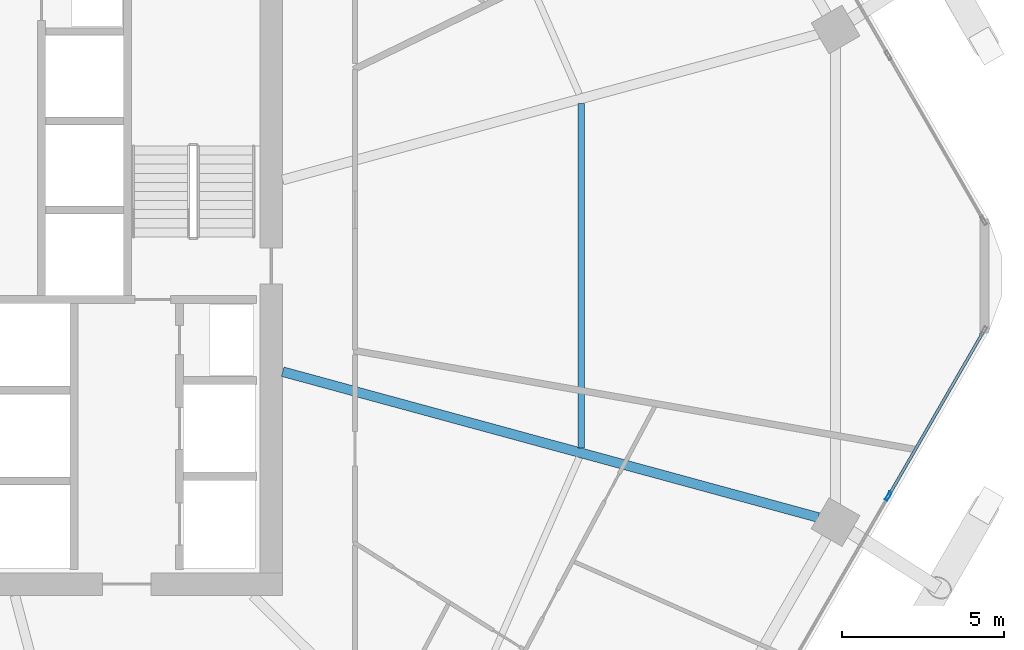
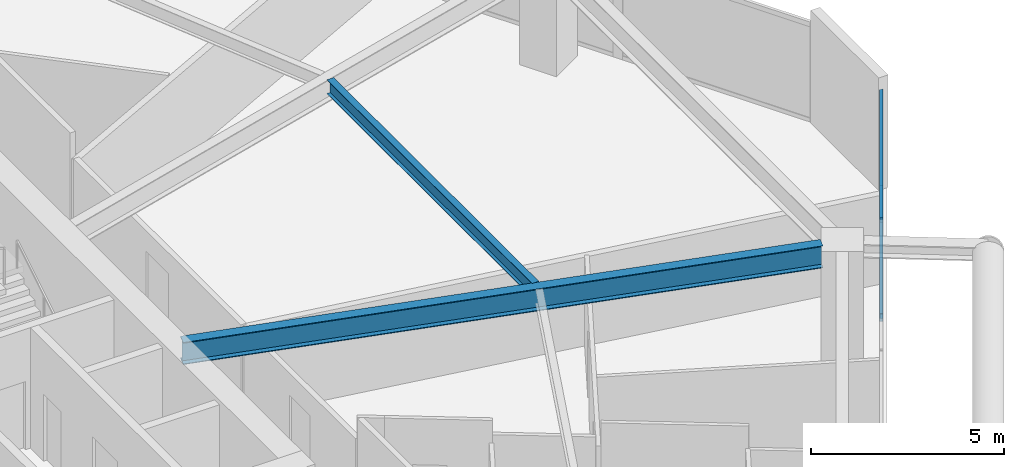
# One storey, part 13 of 35: 3 members, 2 beams, 1 element without a shape of its own.
"""IFC4 building model written with IfcOpenShell, lengths in metres."""

from ifc_helpers import new_model, si_unit, direction, frame, origin, origin_2d, place, context, subcontext, project, spatial, hollow_rectangle, i_section, extrude, material, material_profile, profile_set, type_object, element, aggregate, save


model = new_model("IFC4")

# Units and contexts
model_context = context("Model", 3, precision=1e-05, world=origin(), true_north=direction((0.0, 1.0)))
body_context = subcontext(model_context, "Body", "Model", "MODEL_VIEW")
ifc_project = project(units=[si_unit("LENGTHUNIT", "METRE"), si_unit("AREAUNIT", "SQUARE_METRE"), si_unit("VOLUMEUNIT", "CUBIC_METRE"), si_unit("PLANEANGLEUNIT", "RADIAN"), si_unit("MASSUNIT", "GRAM", prefix="KILO")], contexts=[model_context])

# Site, building, storey
site_placement = place(None, origin())
site = spatial("IfcSite", under=ifc_project, at=site_placement, CompositionType="ELEMENT")
building_placement = place(site_placement, origin())
building = spatial("IfcBuilding", under=site, at=building_placement, Name="Zuhravey Tower", CompositionType="ELEMENT")
storey_placement = place(building_placement, frame((0.0, 0.0, 138.0)))
storey = spatial("IfcBuildingStorey", under=building, at=storey_placement, Name="L34", CompositionType="ELEMENT", Elevation=138.0)

# Curtain wall, members
ifc_material_1 = material(Name="Thermally broken anodised aluminium", Category="aluminium")
curtain_wall_type = type_object("IfcCurtainWallType", Name="Zone 1-2 Residential Curtain Wall CW3", PredefinedType="NOTDEFINED", material=ifc_material_1)
curtain_wall_placement = place(storey_placement, origin())
curtain_wall = element("IfcCurtainWall", 1, at=curtain_wall_placement, inside=storey, type_object=curtain_wall_type, Name="L34 CW3 CW-L34-F6-1", PredefinedType="NOTDEFINED")
ifc_material_2 = material(Name="Anodised aluminium", Category="aluminium")
ifc_material_profile_1 = material_profile(ifc_material_2, hollow_rectangle(XDim=0.090087890625, YDim=0.284912109375, WallThickness=0.0048828125, at=origin_2d()), Name="ALU-RHS-90x285x5")
ifc_profile_set_1 = profile_set([ifc_material_profile_1], Name="Anodised aluminium")
member_type_1 = type_object("IfcMemberType", Name="Curtain-Wall Mullion 90x180", PredefinedType="MULLION", material=ifc_profile_set_1)
member_1_placement = place(storey_placement, frame((65.5185546875, 25.210693359375, 0.0), z_axis=(0.0, 0.0, 1.0), x_axis=(0.86602552265, -0.499999794119, 0.0)))
member_1 = element("IfcMember", 2, at=member_1_placement, type_object=member_type_1, Name="CW3 mullion 2", PredefinedType="MULLION", context=body_context, shape_type="SweptSolid", body=[
    extrude(hollow_rectangle(XDim=0.090087890625, YDim=0.284912109375, WallThickness=0.0048828125, at=origin_2d()), origin(), (0.0, 0.0, 1.0), 3.1220703125),
])
ifc_material_profile_2 = material_profile(ifc_material_2, hollow_rectangle(XDim=0.090087890625, YDim=0.14990234375, WallThickness=0.0048828125, at=origin_2d()), Name="ALU-RHS-90x150x5")
ifc_profile_set_2 = profile_set([ifc_material_profile_2], Name="Anodised aluminium")
member_type_2 = type_object("IfcMemberType", Name="Curtain-Wall Transom 90x150", PredefinedType="USERDEFINED", material=ifc_profile_set_2)
member_2_placement = place(storey_placement, frame((68.43359375, 30.259521484375, 0.044921875), z_axis=(-0.500024450573, -0.866011286779, 0.0), x_axis=(0.866011286779, -0.500024450573, 0.0)))
member_2 = element("IfcMember", 3, at=member_2_placement, type_object=member_type_2, Name="CW3 transom 1.1", ObjectType="TRANSOM", PredefinedType="USERDEFINED", context=body_context, shape_type="SweptSolid", body=[
    extrude(hollow_rectangle(XDim=0.090087890625, YDim=0.14990234375, WallThickness=0.0048828125, at=origin_2d()), origin(), (0.0, 0.0, 1.0), 5.784912109375),
])
member_3_placement = place(storey_placement, frame((68.43359375, 30.259521484375, 3.076904296875), z_axis=(-0.500024450573, -0.866011286779, 0.0), x_axis=(0.866011286779, -0.500024450573, 0.0)))
member_3 = element("IfcMember", 4, at=member_3_placement, type_object=member_type_2, Name="CW3 transom 1.2", ObjectType="TRANSOM", PredefinedType="USERDEFINED", context=body_context, shape_type="SweptSolid", body=[
    extrude(hollow_rectangle(XDim=0.090087890625, YDim=0.14990234375, WallThickness=0.0048828125, at=origin_2d()), origin(), (0.0, 0.0, 1.0), 5.784912109375),
])
aggregate(curtain_wall, [member_1, member_2, member_3])

# Beams
ifc_material_3 = material(Name="Steel SM355", Category="steel")
ifc_material_profile_3 = material_profile(ifc_material_3, i_section(OverallWidth=0.300048828125, OverallDepth=0.699951171875, WebThickness=0.012939453125, FlangeThickness=0.02392578125, at=origin_2d()), Name="H-700x300x13x24")
ifc_profile_set_3 = profile_set([ifc_material_profile_3], Name="Steel SM355")
beam_type_1 = type_object("IfcBeamType", Name="Radial Primary Girder H700x300", PredefinedType="BEAM", material=ifc_profile_set_3)
beam_1_placement = place(storey_placement, frame((46.85302734375, 29.045654296875, 3.199951171875), z_axis=(0.964893166225, -0.262642680791, 0.0), x_axis=(0.262642680791, 0.964893166225, 0.0)))
element("IfcBeam", 5, at=beam_1_placement, inside=storey, type_object=beam_type_1, Name="L34 RG1 BM-L34-RAD-12", PredefinedType="BEAM", context=body_context, shape_type="SweptSolid", body=[
    extrude(i_section(OverallWidth=0.300048828125, OverallDepth=0.699951171875, WebThickness=0.012939453125, FlangeThickness=0.02392578125, at=origin_2d()), origin(), (0.0, 0.0, 1.0), 17.102783203125),
])
ifc_material_profile_4 = material_profile(ifc_material_3, i_section(OverallWidth=0.199951171875, OverallDepth=0.449951171875, WebThickness=0.009033203125, FlangeThickness=0.013916015625, at=origin_2d()), Name="H-450x200x9x14")
ifc_profile_set_4 = profile_set([ifc_material_profile_4], Name="Steel SM355")
beam_type_2 = type_object("IfcBeamType", Name="Secondary Floor Joist H450x200", PredefinedType="JOIST", material=ifc_profile_set_4)
beam_2_placement = place(storey_placement, frame((56.052490234375, 26.695556640625, 3.324951171875), z_axis=(0.0, 1.0, 0.0), x_axis=(-1.0, 0.0, 0.0)))
element("IfcBeam", 6, at=beam_2_placement, inside=storey, type_object=beam_type_2, Name="L34 SJ1 BM-L34-SJ-12-1", PredefinedType="JOIST", context=body_context, shape_type="SweptSolid", body=[
    extrude(i_section(OverallWidth=0.199951171875, OverallDepth=0.449951171875, WebThickness=0.009033203125, FlangeThickness=0.013916015625, at=origin_2d()), origin(), (0.0, 0.0, 1.0), 10.60888671875),
])

save(model, "model.ifc")
